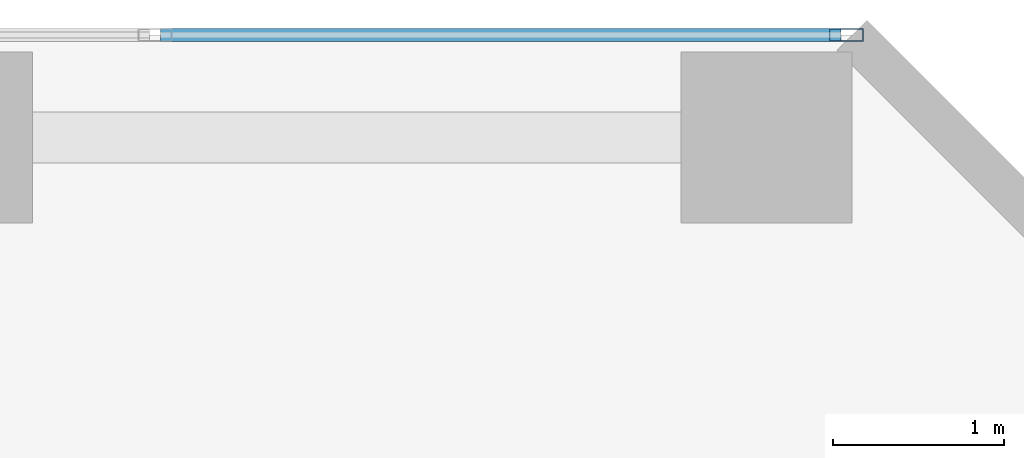
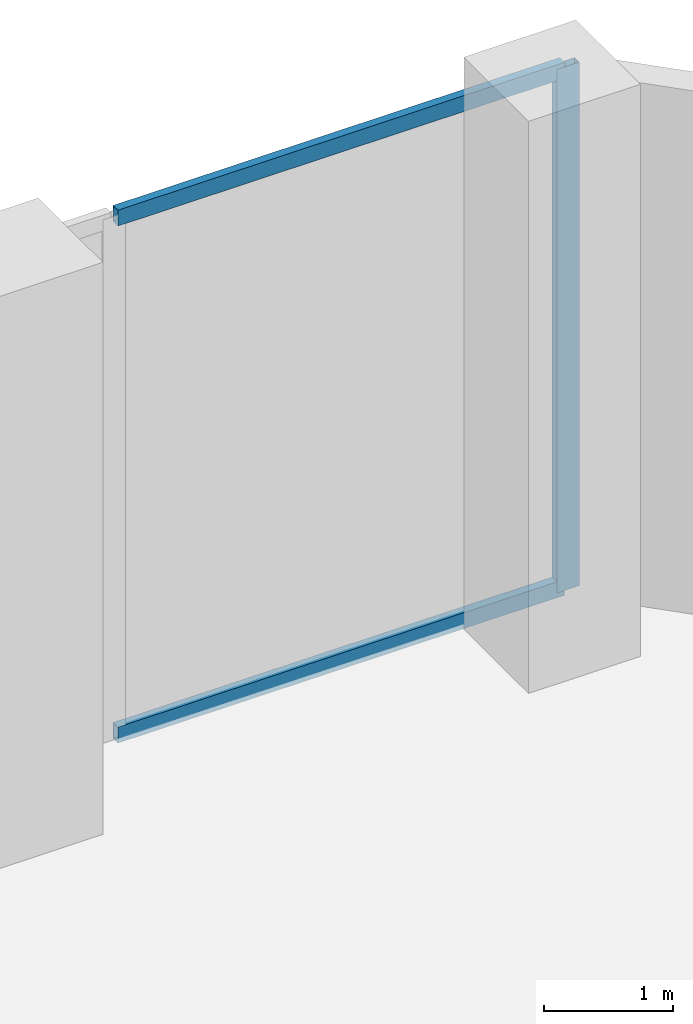
# One storey, part 19 of 24: 3 members, 1 element without a shape of its own.
"""IFC4 building model written with IfcOpenShell, lengths in metres."""

from ifc_helpers import new_model, si_unit, direction, frame, origin, origin_2d, place, context, subcontext, project, spatial, hollow_rectangle, extrude, material, layer, layer_set, material_profile, profile_set, type_object, element, aggregate, save


model = new_model("IFC4")

# Units and contexts
model_context = context("Model", 3, precision=1e-05, world=origin(), true_north=direction((0.0, 1.0)))
body_context = subcontext(model_context, "Body", "Model", "MODEL_VIEW")
ifc_project = project(units=[si_unit("LENGTHUNIT", "METRE"), si_unit("AREAUNIT", "SQUARE_METRE"), si_unit("VOLUMEUNIT", "CUBIC_METRE"), si_unit("PLANEANGLEUNIT", "RADIAN"), si_unit("MASSUNIT", "GRAM", prefix="KILO")], contexts=[model_context])

# Site, building, storey
site_placement = place(None, origin())
site = spatial("IfcSite", under=ifc_project, at=site_placement, CompositionType="ELEMENT")
building_placement = place(site_placement, origin())
building = spatial("IfcBuilding", under=site, at=building_placement, Name="Catumbela Crestline Tower", CompositionType="ELEMENT")
storey_placement = place(building_placement, frame((0.0, 0.0, 15.9)))
storey = spatial("IfcBuildingStorey", under=building, at=storey_placement, Name="L03", CompositionType="ELEMENT", Elevation=15.9)

# Curtain wall, members
ifc_material = material(Name="Aluminium alloy AW-6060-T66", Category="aluminium")
ifc_layer = layer(ifc_material, 0.18, Name="Aluminium alloy AW-6060-T66")
ifc_layer_set = layer_set([ifc_layer], Name="Aluminium alloy AW-6060-T66")
curtain_wall_type = type_object("IfcCurtainWallType", Name="CWS-POD", PredefinedType="USERDEFINED", material=ifc_layer_set)
curtain_wall_placement = place(storey_placement, origin())
curtain_wall = element("IfcCurtainWall", 1, at=curtain_wall_placement, inside=storey, type_object=curtain_wall_type, Name="L03 Stick Curtain Wall CW-L03-E7S1", ObjectType="STICK", PredefinedType="USERDEFINED")
ifc_material_profile_1 = material_profile(ifc_material, hollow_rectangle(XDim=0.075, YDim=0.2, WallThickness=0.005, at=origin_2d()), Name="ALU 200x75x5")
ifc_profile_set_1 = profile_set([ifc_material_profile_1], Name="Aluminium alloy AW-6060-T66")
member_type_1 = type_object("IfcMemberType", Name="MUL-200X75", PredefinedType="MULLION", material=ifc_profile_set_1)
member_1_placement = place(storey_placement, frame((52.4675, 48.0, 0.0), z_axis=(0.0, 0.0, 1.0), x_axis=(0.0, -1.0, 0.0)))
member_1 = element("IfcMember", 2, at=member_1_placement, type_object=member_type_1, Name="CWS-POD mullion 1", PredefinedType="MULLION", context=body_context, shape_type="SweptSolid", body=[
    extrude(hollow_rectangle(XDim=0.075, YDim=0.2, WallThickness=0.005, at=origin_2d()), origin(), (0.0, 0.0, 1.0), 4.94),
])
ifc_material_profile_2 = material_profile(ifc_material, hollow_rectangle(XDim=0.075, YDim=0.15, WallThickness=0.0045, at=origin_2d()), Name="ALU 150x75x4.5")
ifc_profile_set_2 = profile_set([ifc_material_profile_2], Name="Aluminium alloy AW-6060-T66")
member_type_2 = type_object("IfcMemberType", Name="TRN-150X75", PredefinedType="USERDEFINED", material=ifc_profile_set_2)
member_2_placement = place(storey_placement, frame((52.435, 48.0, 0.03), z_axis=(-1.0, 0.0, 0.0), x_axis=(0.0, -1.0, 0.0)))
member_2 = element("IfcMember", 3, at=member_2_placement, type_object=member_type_2, Name="CWS-POD transom 1.1", ObjectType="TRANSOM", PredefinedType="USERDEFINED", context=body_context, shape_type="SweptSolid", body=[
    extrude(hollow_rectangle(XDim=0.075, YDim=0.15, WallThickness=0.0045, at=origin_2d()), origin(), (0.0, 0.0, 1.0), 3.9858),
])
member_3_placement = place(storey_placement, frame((52.435, 48.0, 4.91), z_axis=(-1.0, 0.0, 0.0), x_axis=(0.0, -1.0, 0.0)))
member_3 = element("IfcMember", 4, at=member_3_placement, type_object=member_type_2, Name="CWS-POD transom 1.2", ObjectType="TRANSOM", PredefinedType="USERDEFINED", context=body_context, shape_type="SweptSolid", body=[
    extrude(hollow_rectangle(XDim=0.075, YDim=0.15, WallThickness=0.0045, at=origin_2d()), origin(), (0.0, 0.0, 1.0), 3.9858),
])
aggregate(curtain_wall, [member_1, member_2, member_3])

save(model, "model.ifc")
